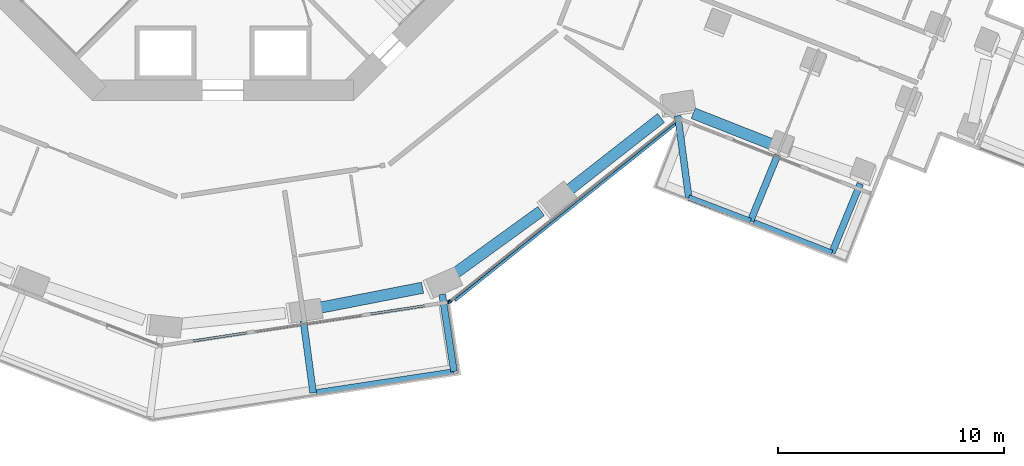
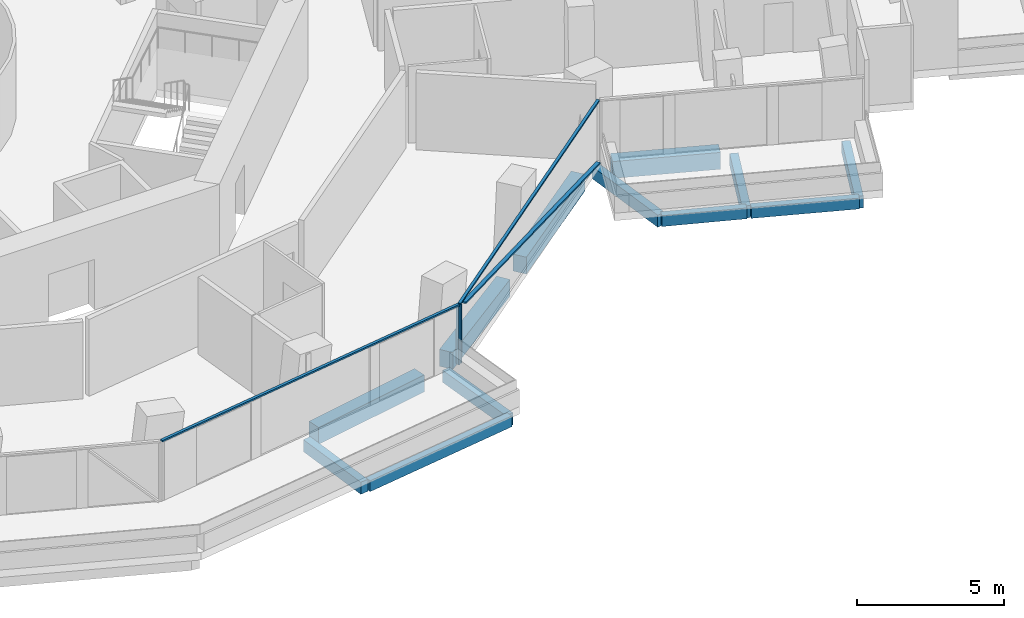
# One storey, part 5 of 28: 12 beams, 5 members, 2 elements without a shape of their own.
"""IFC4 building model written with IfcOpenShell, lengths in metres."""

from ifc_helpers import new_model, si_unit, direction, frame, origin, origin_2d, place, context, subcontext, project, spatial, rectangle, extrude, material, layer, layer_set, material_profile, profile_set, type_object, element, aggregate, save


model = new_model("IFC4")

# Units and contexts
model_context = context("Model", 3, precision=1e-05, world=origin(), true_north=direction((0.0, 1.0)))
body_context = subcontext(model_context, "Body", "Model", "MODEL_VIEW")
ifc_project = project(units=[si_unit("LENGTHUNIT", "METRE"), si_unit("AREAUNIT", "SQUARE_METRE"), si_unit("VOLUMEUNIT", "CUBIC_METRE"), si_unit("PLANEANGLEUNIT", "RADIAN"), si_unit("MASSUNIT", "GRAM", prefix="KILO")], contexts=[model_context])

# Site, building, storey
site_placement = place(None, origin())
site = spatial("IfcSite", under=ifc_project, at=site_placement, CompositionType="ELEMENT")
building_placement = place(site_placement, origin())
building = spatial("IfcBuilding", under=site, at=building_placement, Name="Verdalira Terraces Hotel", CompositionType="ELEMENT")
storey_placement = place(building_placement, frame((0.0, 0.0, 68.0)))
storey = spatial("IfcBuildingStorey", under=building, at=storey_placement, Name="L15", CompositionType="ELEMENT", Elevation=68.0)

# Beams
ifc_material_1 = material(Name="Concrete C40", Category="concrete")
ifc_material_profile_1 = material_profile(ifc_material_1, rectangle(XDim=0.300049, YDim=0.5, at=origin_2d()), Name="RC 300X500")
ifc_profile_set_1 = profile_set([ifc_material_profile_1], Name="Concrete C40")
beam_type_1 = type_object("IfcBeamType", Name="Balcony cantilever beam RC 300X500 C40", PredefinedType="BEAM", material=ifc_profile_set_1)
beam_1_placement = place(storey_placement, frame((3.572021, -23.791504, -0.560059), z_axis=(0.133642539, -0.991029602, 0.0), x_axis=(0.991029602, 0.133642539, 0.0)))
element("IfcBeam", 1, at=beam_1_placement, inside=storey, type_object=beam_type_1, Name="Balcony cantilever beam R25-1", PredefinedType="BEAM", context=body_context, shape_type="SweptSolid", body=[
    extrude(rectangle(XDim=0.300049, YDim=0.5, at=origin_2d()), origin(), (0.0, 0.0, 1.0), 3.200684),
])
beam_2_placement = place(storey_placement, frame((9.721191, -22.597412, -0.560059), z_axis=(0.150215412, -0.988653291, 0.0), x_axis=(0.988653291, 0.150215412, 0.0)))
element("IfcBeam", 2, at=beam_2_placement, inside=storey, type_object=beam_type_1, Name="Balcony cantilever beam R25-2", PredefinedType="BEAM", context=body_context, shape_type="SweptSolid", body=[
    extrude(rectangle(XDim=0.300049, YDim=0.5, at=origin_2d()), origin(), (0.0, 0.0, 1.0), 3.457031),
])
beam_3_placement = place(storey_placement, frame((20.15918, -14.679688, -0.560059), z_axis=(0.133685709, -0.991023779, 0.0), x_axis=(0.991023779, 0.133685709, 0.0)))
element("IfcBeam", 3, at=beam_3_placement, inside=storey, type_object=beam_type_1, Name="Balcony cantilever beam R28-1", PredefinedType="BEAM", context=body_context, shape_type="SweptSolid", body=[
    extrude(rectangle(XDim=0.300049, YDim=0.5, at=origin_2d()), origin(), (0.0, 0.0, 1.0), 3.656006),
])
beam_4_placement = place(storey_placement, frame((24.584473, -16.425537, -0.560059), z_axis=(-0.379800707, -0.925068334, 0.0), x_axis=(0.925068334, -0.379800707, 0.0)))
element("IfcBeam", 4, at=beam_4_placement, inside=storey, type_object=beam_type_1, Name="Balcony cantilever beam R28-2", PredefinedType="BEAM", context=body_context, shape_type="SweptSolid", body=[
    extrude(rectangle(XDim=0.300049, YDim=0.5, at=origin_2d()), origin(), (0.0, 0.0, 1.0), 3.157471),
])
beam_5_placement = place(storey_placement, frame((28.250488, -17.694092, -0.560059), z_axis=(-0.37977803, -0.925077644, 0.0), x_axis=(0.925077644, -0.37977803, 0.0)))
element("IfcBeam", 5, at=beam_5_placement, inside=storey, type_object=beam_type_1, Name="Balcony cantilever beam R28-3", PredefinedType="BEAM", context=body_context, shape_type="SweptSolid", body=[
    extrude(rectangle(XDim=0.300049, YDim=0.5, at=origin_2d()), origin(), (0.0, 0.0, 1.0), 3.311279),
])
ifc_material_2 = material(Name="Concrete C40", Category="concrete")
ifc_material_profile_2 = material_profile(ifc_material_2, rectangle(XDim=0.25, YDim=0.449951, at=origin_2d()), Name="RC 250X450")
ifc_profile_set_2 = profile_set([ifc_material_profile_2], Name="Concrete C40")
beam_type_2 = type_object("IfcBeamType", Name="Balcony edge beam RC 250X450 C40", PredefinedType="BEAM", material=ifc_profile_set_2)
beam_6_placement = place(storey_placement, frame((4.148193, -26.940918, -0.534912), z_axis=(0.988650328, 0.150234914, 0.0), x_axis=(-0.150234914, 0.988650328, 0.0)))
element("IfcBeam", 6, at=beam_6_placement, inside=storey, type_object=beam_type_2, Name="Balcony edge beam R25-1", PredefinedType="BEAM", context=body_context, shape_type="SweptSolid", body=[
    extrude(rectangle(XDim=0.25, YDim=0.449951, at=origin_2d()), origin(), (0.0, 0.0, 1.0), 6.162109),
])
beam_7_placement = place(storey_placement, frame((20.647949, -18.302979, -0.534912), z_axis=(0.934411139, -0.356196326, 0.0), x_axis=(0.356196326, 0.934411139, 0.0)))
element("IfcBeam", 7, at=beam_7_placement, inside=storey, type_object=beam_type_2, Name="Balcony edge beam R28-1", PredefinedType="BEAM", context=body_context, shape_type="SweptSolid", body=[
    extrude(rectangle(XDim=0.25, YDim=0.449951, at=origin_2d()), origin(), (0.0, 0.0, 1.0), 2.929443),
])
beam_8_placement = place(storey_placement, frame((23.524902, -19.401123, -0.534912), z_axis=(0.931320144, -0.364201577, 0.0), x_axis=(0.364201577, 0.931320144, 0.0)))
element("IfcBeam", 8, at=beam_8_placement, inside=storey, type_object=beam_type_2, Name="Balcony edge beam R28-2", PredefinedType="BEAM", context=body_context, shape_type="SweptSolid", body=[
    extrude(rectangle(XDim=0.25, YDim=0.449951, at=origin_2d()), origin(), (0.0, 0.0, 1.0), 3.723877),
])

# Curtain wall, member
ifc_material_3 = material(Name="Clear glass", Category="glass")
ifc_layer = layer(ifc_material_3, 0.14990234375)
ifc_layer_set = layer_set([ifc_layer], Name="CW1 curtain wall")
curtain_wall_type = type_object("IfcCurtainWallType", Name="CW1 curtain wall", PredefinedType="NOTDEFINED", material=ifc_layer_set)
curtain_wall_1_placement = place(storey_placement, origin())
curtain_wall_1 = element("IfcCurtainWall", 9, at=curtain_wall_1_placement, inside=storey, type_object=curtain_wall_type, Name="CW1 curtain wall L15 edge 26", PredefinedType="NOTDEFINED")
ifc_material_4 = material(Name="Terracotta frame", Category="masonry")
ifc_material_profile_3 = material_profile(ifc_material_4, rectangle(XDim=0.060059, YDim=0.149902, at=origin_2d()), Name="MU 60x150")
ifc_profile_set_3 = profile_set([ifc_material_profile_3], Name="Terracotta frame")
member_type_1 = type_object("IfcMemberType", Name="CW1 mullion 60x150", PredefinedType="MULLION", material=ifc_profile_set_3)
member_1_placement = place(storey_placement, frame((9.989746, -22.942871, 0.0), z_axis=(0.0, 0.0, 1.0), x_axis=(0.988651745, 0.150225589, 0.0)))
member_1 = element("IfcMember", 10, at=member_1_placement, type_object=member_type_1, Name="CW1 mullion", PredefinedType="MULLION", context=body_context, shape_type="SweptSolid", body=[
    extrude(rectangle(XDim=0.060059, YDim=0.149902, at=origin_2d()), origin(), (0.0, 0.0, 1.0), 2.425049),
])

curtain_wall_2_placement = place(storey_placement, origin())
curtain_wall_2 = element("IfcCurtainWall", 11, at=curtain_wall_2_placement, inside=storey, type_object=curtain_wall_type, Name="CW1 curtain wall L15 edge 27", PredefinedType="NOTDEFINED")
member_2_placement = place(storey_placement, frame((10.078369, -22.904053, 0.0), z_axis=(0.0, 0.0, 1.0), x_axis=(0.781084732, 0.624425049, 0.0)))
member_2 = element("IfcMember", 12, at=member_2_placement, type_object=member_type_1, Name="CW1 mullion", PredefinedType="MULLION", context=body_context, shape_type="SweptSolid", body=[
    extrude(rectangle(XDim=0.060059, YDim=0.149902, at=origin_2d()), origin(), (0.0, 0.0, 1.0), 2.425049),
])

# Member
ifc_material_5 = material(Name="Terracotta frame", Category="masonry")
ifc_material_profile_4 = material_profile(ifc_material_5, rectangle(XDim=0.110107, YDim=0.064941, at=origin_2d()), Name="TR 65x110")
ifc_profile_set_4 = profile_set([ifc_material_profile_4], Name="Terracotta frame")
member_type_2 = type_object("IfcMemberType", Name="CW1 transom 65x110", PredefinedType="USERDEFINED", material=ifc_profile_set_4)
member_3_placement = place(storey_placement, frame((-2.753662, -24.879395, 2.45752), z_axis=(0.988651379, 0.150227995, 0.0), x_axis=(-0.150227995, 0.988651379, 0.0)))
member_3 = element("IfcMember", 13, at=member_3_placement, type_object=member_type_2, Name="CW1 transom", ObjectType="TRANSOM", PredefinedType="USERDEFINED", context=body_context, shape_type="SweptSolid", body=[
    extrude(rectangle(XDim=0.110107, YDim=0.064941, at=origin_2d()), origin(), (0.0, 0.0, 1.0), 12.919922),
])

aggregate(curtain_wall_1, [member_1, member_3])

member_4_placement = place(storey_placement, frame((10.054932, -22.922852, 2.45752), z_axis=(0.781092981, 0.62441473, 0.0), x_axis=(-0.62441473, 0.781092981, 0.0)))
member_4 = element("IfcMember", 14, at=member_4_placement, type_object=member_type_2, Name="CW1 transom", ObjectType="TRANSOM", PredefinedType="USERDEFINED", context=body_context, shape_type="SweptSolid", body=[
    extrude(rectangle(XDim=0.110107, YDim=0.064941, at=origin_2d()), origin(), (0.0, 0.0, 1.0), 12.959717),
])

ifc_material_6 = material(Name="Terracotta frame", Category="masonry")
ifc_material_profile_5 = material_profile(ifc_material_6, rectangle(XDim=0.149902, YDim=0.060059, at=origin_2d()), Name="GB 60x150")
ifc_profile_set_5 = profile_set([ifc_material_profile_5], Name="Terracotta frame")
member_type_3 = type_object("IfcMemberType", Name="Diagonal glazing bar 60x150", PredefinedType="USERDEFINED", material=ifc_profile_set_5)
member_5_placement = place(storey_placement, frame((10.281006, -22.856201, 2.395264), z_axis=(0.767512665, 0.613577212, -0.185599875), x_axis=(-0.624426368, 0.781083678, 0.0)))
member_5 = element("IfcMember", 15, at=member_5_placement, type_object=member_type_3, Name="Diagonal glazing bar", ObjectType="GLAZING BAR", PredefinedType="USERDEFINED", context=body_context, shape_type="SweptSolid", body=[
    extrude(rectangle(XDim=0.149902, YDim=0.060059, at=origin_2d()), origin(), (0.0, 0.0, 1.0), 12.745117),
])

aggregate(curtain_wall_2, [member_2, member_4, member_5])

# Beams
ifc_material_7 = material(Name="Concrete C70", Category="concrete")
ifc_material_profile_6 = material_profile(ifc_material_7, rectangle(XDim=0.5, YDim=0.699951, at=origin_2d()), Name="RC 500X700")
ifc_profile_set_6 = profile_set([ifc_material_profile_6], Name="Concrete C70")
beam_type_3 = type_object("IfcBeamType", Name="Spandrel beam RC 500X700 C70", PredefinedType="SPANDREL", material=ifc_profile_set_6)
beam_9_placement = place(storey_placement, frame((4.184326, -23.212402, -0.659912), z_axis=(0.981543981, 0.191236536, 0.0), x_axis=(-0.191236536, 0.981543981, 0.0)))
element("IfcBeam", 16, at=beam_9_placement, inside=storey, type_object=beam_type_3, Name="Spandrel beam B22", PredefinedType="SPANDREL", context=body_context, shape_type="SweptSolid", body=[
    extrude(rectangle(XDim=0.5, YDim=0.699951, at=origin_2d()), origin(), (0.0, 0.0, 1.0), 4.755371),
])
beam_10_placement = place(storey_placement, frame((10.249512, -21.69458, -0.659912), z_axis=(0.81010932, 0.586278849, 0.0), x_axis=(-0.586278849, 0.81010932, 0.0)))
element("IfcBeam", 17, at=beam_10_placement, inside=storey, type_object=beam_type_3, Name="Spandrel beam B23", PredefinedType="SPANDREL", context=body_context, shape_type="SweptSolid", body=[
    extrude(rectangle(XDim=0.5, YDim=0.699951, at=origin_2d()), origin(), (0.0, 0.0, 1.0), 4.758789),
])
beam_11_placement = place(storey_placement, frame((15.236572, -18.052979, -0.659912), z_axis=(0.787567067, 0.616228947, 0.0), x_axis=(-0.616228947, 0.787567067, 0.0)))
element("IfcBeam", 18, at=beam_11_placement, inside=storey, type_object=beam_type_3, Name="Spandrel beam B24", PredefinedType="SPANDREL", context=body_context, shape_type="SweptSolid", body=[
    extrude(rectangle(XDim=0.5, YDim=0.699951, at=origin_2d()), origin(), (0.0, 0.0, 1.0), 5.312012),
])
beam_12_placement = place(storey_placement, frame((20.847656, -14.572266, -0.659912), z_axis=(0.930121555, -0.36725181, 0.0), x_axis=(0.36725181, 0.930121555, 0.0)))
element("IfcBeam", 19, at=beam_12_placement, inside=storey, type_object=beam_type_3, Name="Spandrel beam B25", PredefinedType="SPANDREL", context=body_context, shape_type="SweptSolid", body=[
    extrude(rectangle(XDim=0.5, YDim=0.699951, at=origin_2d()), origin(), (0.0, 0.0, 1.0), 3.715332),
])

save(model, "model.ifc")
